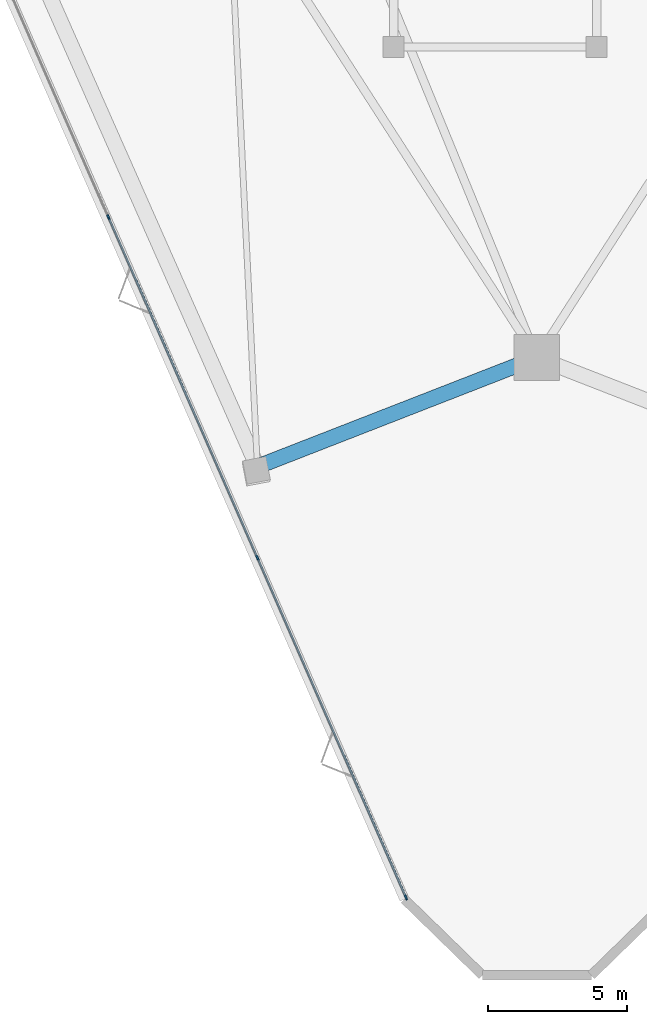
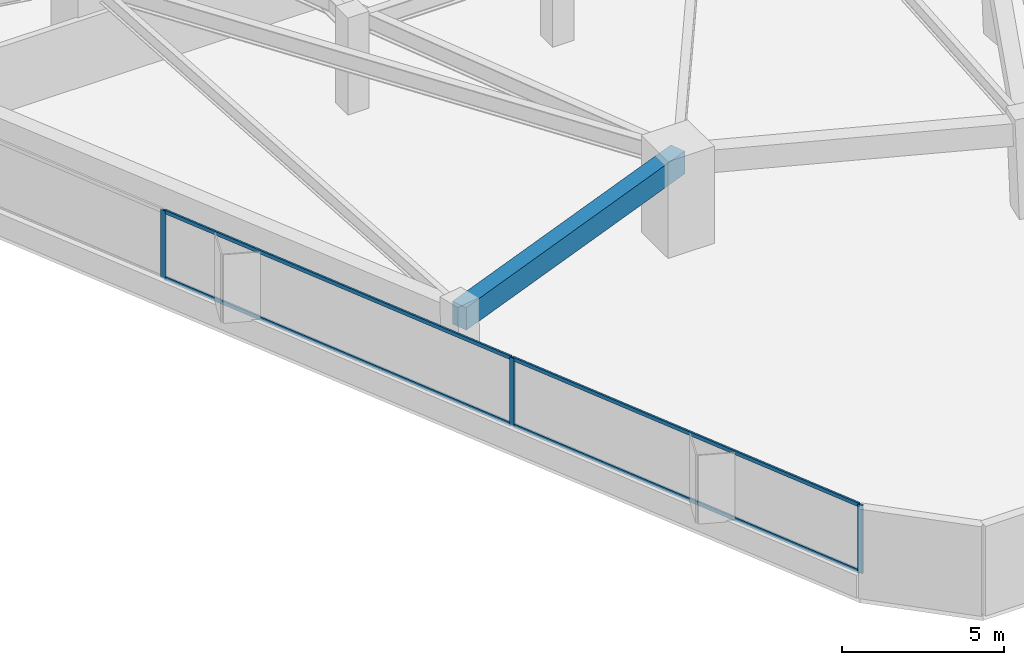
# One storey, part 2 of 19: 7 members, 1 beam, 1 element without a shape of its own.
"""IFC4 building model written with IfcOpenShell, lengths in metres."""

from ifc_helpers import new_model, si_unit, direction, frame, origin, origin_2d, place, context, subcontext, project, spatial, rectangle, extrude, material, layer, layer_set, material_profile, profile_set, type_object, element, aggregate, save


model = new_model("IFC4")

# Units and contexts
model_context = context("Model", 3, precision=1e-05, world=origin(), true_north=direction((0.0, 1.0)))
body_context = subcontext(model_context, "Body", "Model", "MODEL_VIEW")
ifc_project = project(units=[si_unit("LENGTHUNIT", "METRE"), si_unit("AREAUNIT", "SQUARE_METRE"), si_unit("VOLUMEUNIT", "CUBIC_METRE"), si_unit("PLANEANGLEUNIT", "RADIAN"), si_unit("MASSUNIT", "GRAM", prefix="KILO")], contexts=[model_context])

# Site, building, storey
site_placement = place(None, origin())
site = spatial("IfcSite", under=ifc_project, at=site_placement, CompositionType="ELEMENT")
building_placement = place(site_placement, origin())
building = spatial("IfcBuilding", under=site, at=building_placement, Name="Talyreon Biosciences Tower", CompositionType="ELEMENT")
storey_placement = place(building_placement, frame((0.0, 0.0, 85.949951171875)))
storey = spatial("IfcBuildingStorey", under=building, at=storey_placement, Name="L22", CompositionType="ELEMENT", Elevation=85.949951171875)

# Curtain wall, members
ifc_material_1 = material(Name="Thermally broken aluminium and low-E glazing", Category="aluminium")
ifc_layer = layer(ifc_material_1, 0.18994140625)
ifc_layer_set = layer_set([ifc_layer], Name="Thermally broken aluminium and low-E glazing")
curtain_wall_type = type_object("IfcCurtainWallType", Name="CurtainWall_Zone2Genomics", PredefinedType="NOTDEFINED", material=ifc_layer_set)
curtain_wall_placement = place(storey_placement, origin())
curtain_wall = element("IfcCurtainWall", 1, at=curtain_wall_placement, inside=storey, type_object=curtain_wall_type, Name="L22 Unitised Curtain Wall FCW-L22-00", PredefinedType="NOTDEFINED")
ifc_material_2 = material(Name="Anodised thermally broken aluminium", Category="aluminium")
ifc_material_profile_1 = material_profile(ifc_material_2, rectangle(XDim=0.06494140625, YDim=0.179931640625, at=origin_2d()), Name="ALUM MULLION 65x180")
ifc_profile_set_1 = profile_set([ifc_material_profile_1], Name="Anodised thermally broken aluminium")
member_type_1 = type_object("IfcMemberType", Name="CWMullion_65x180", PredefinedType="MULLION", material=ifc_profile_set_1)
member_1_placement = place(storey_placement, frame((61.2958984375, 22.253173828125, 0.81005859375), z_axis=(0.0, 0.0, 1.0), x_axis=(-0.916213942072, -0.400689421314, 0.0)))
member_1 = element("IfcMember", 2, at=member_1_placement, type_object=member_type_1, Name="CW3 mullion 1", PredefinedType="MULLION", context=body_context, shape_type="SweptSolid", body=[
    extrude(rectangle(XDim=0.06494140625, YDim=0.179931640625, at=origin_2d()), origin(), (0.0, 0.0, 1.0), 2.56494140625),
])
member_2_placement = place(storey_placement, frame((55.9521484375, 34.472412109375, 0.81005859375), z_axis=(0.0, 0.0, 1.0), x_axis=(-0.916213942072, -0.400689421314, 0.0)))
member_2 = element("IfcMember", 3, at=member_2_placement, type_object=member_type_1, Name="CW3 mullion 2", PredefinedType="MULLION", context=body_context, shape_type="SweptSolid", body=[
    extrude(rectangle(XDim=0.06494140625, YDim=0.179931640625, at=origin_2d()), origin(), (0.0, 0.0, 1.0), 2.56494140625),
])
member_3_placement = place(storey_placement, frame((50.59521484375, 46.721435546875, 0.81005859375), z_axis=(0.0, 0.0, 1.0), x_axis=(-0.916213942072, -0.400689421314, 0.0)))
member_3 = element("IfcMember", 4, at=member_3_placement, type_object=member_type_1, Name="CW3 mullion 3", PredefinedType="MULLION", context=body_context, shape_type="SweptSolid", body=[
    extrude(rectangle(XDim=0.06494140625, YDim=0.179931640625, at=origin_2d()), origin(), (0.0, 0.0, 1.0), 2.56494140625),
])
ifc_material_profile_2 = material_profile(ifc_material_2, rectangle(XDim=0.06494140625, YDim=0.139892578125, at=origin_2d()), Name="ALUM TRANSOM 65x140")
ifc_profile_set_2 = profile_set([ifc_material_profile_2], Name="Anodised thermally broken aluminium")
member_type_2 = type_object("IfcMemberType", Name="CWTransom_65x140", PredefinedType="USERDEFINED", material=ifc_profile_set_2)
member_4_placement = place(storey_placement, frame((61.282958984375, 22.282958984375, 0.842529296875), z_axis=(-0.40069337817, 0.916212211603, 0.0), x_axis=(-0.916212211603, -0.40069337817, 0.0)))
member_4 = element("IfcMember", 5, at=member_4_placement, type_object=member_type_2, Name="CW3 transom 1.1", ObjectType="TRANSOM", PredefinedType="USERDEFINED", context=body_context, shape_type="SweptSolid", body=[
    extrude(rectangle(XDim=0.06494140625, YDim=0.139892578125, at=origin_2d()), origin(), (0.0, 0.0, 1.0), 13.271728515625),
])
member_5_placement = place(storey_placement, frame((61.282958984375, 22.282958984375, 3.342529296875), z_axis=(-0.40069337817, 0.916212211603, 0.0), x_axis=(-0.916212211603, -0.40069337817, 0.0)))
member_5 = element("IfcMember", 6, at=member_5_placement, type_object=member_type_2, Name="CW3 transom 1.2", ObjectType="TRANSOM", PredefinedType="USERDEFINED", context=body_context, shape_type="SweptSolid", body=[
    extrude(rectangle(XDim=0.06494140625, YDim=0.139892578125, at=origin_2d()), origin(), (0.0, 0.0, 1.0), 13.271728515625),
])
member_6_placement = place(storey_placement, frame((55.93896484375, 34.502197265625, 0.842529296875), z_axis=(-0.40068790809, 0.916214603852, 0.0), x_axis=(-0.916214603852, -0.40068790809, 0.0)))
member_6 = element("IfcMember", 7, at=member_6_placement, type_object=member_type_2, Name="CW3 transom 2.1", ObjectType="TRANSOM", PredefinedType="USERDEFINED", context=body_context, shape_type="SweptSolid", body=[
    extrude(rectangle(XDim=0.06494140625, YDim=0.139892578125, at=origin_2d()), origin(), (0.0, 0.0, 1.0), 13.30419921875),
])
member_7_placement = place(storey_placement, frame((55.93896484375, 34.502197265625, 3.342529296875), z_axis=(-0.40068790809, 0.916214603852, 0.0), x_axis=(-0.916214603852, -0.40068790809, 0.0)))
member_7 = element("IfcMember", 8, at=member_7_placement, type_object=member_type_2, Name="CW3 transom 2.2", ObjectType="TRANSOM", PredefinedType="USERDEFINED", context=body_context, shape_type="SweptSolid", body=[
    extrude(rectangle(XDim=0.06494140625, YDim=0.139892578125, at=origin_2d()), origin(), (0.0, 0.0, 1.0), 13.30419921875),
])
aggregate(curtain_wall, [member_1, member_2, member_3, member_4, member_5, member_6, member_7])

# Beam
ifc_material_3 = material(Name="Precast concrete C45/55", Category="concrete")
ifc_material_profile_3 = material_profile(ifc_material_3, rectangle(XDim=0.550048828125, YDim=0.85009765625, at=origin_2d()), Name="RCB 550x850")
ifc_profile_set_3 = profile_set([ifc_material_profile_3], Name="Precast concrete C45/55")
beam_type = type_object("IfcBeamType", Name="ExpressedSpandrel_550x850", PredefinedType="SPANDREL", material=ifc_profile_set_3)
beam_placement = place(storey_placement, frame((55.951416015625, 37.748291015625, 2.949951171875), z_axis=(0.931662293979, 0.363325432606, 0.0), x_axis=(-0.363325432606, 0.931662293979, 0.0)))
element("IfcBeam", 9, at=beam_placement, inside=storey, type_object=beam_type, Name="L22 Expressed Horizontal Concrete Spandrel 12", PredefinedType="SPANDREL", context=body_context, shape_type="SweptSolid", body=[
    extrude(rectangle(XDim=0.550048828125, YDim=0.85009765625, at=origin_2d()), origin(), (0.0, 0.0, 1.0), 10.78564453125),
])

save(model, "model.ifc")
